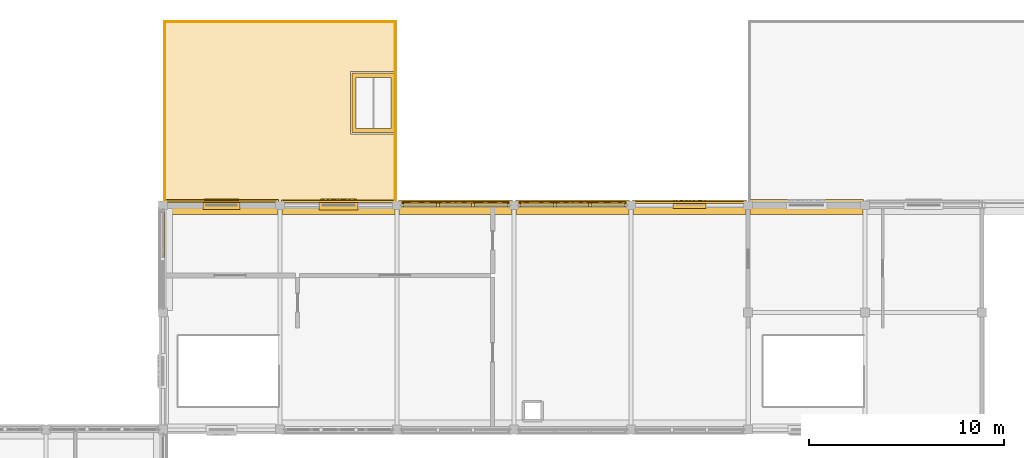
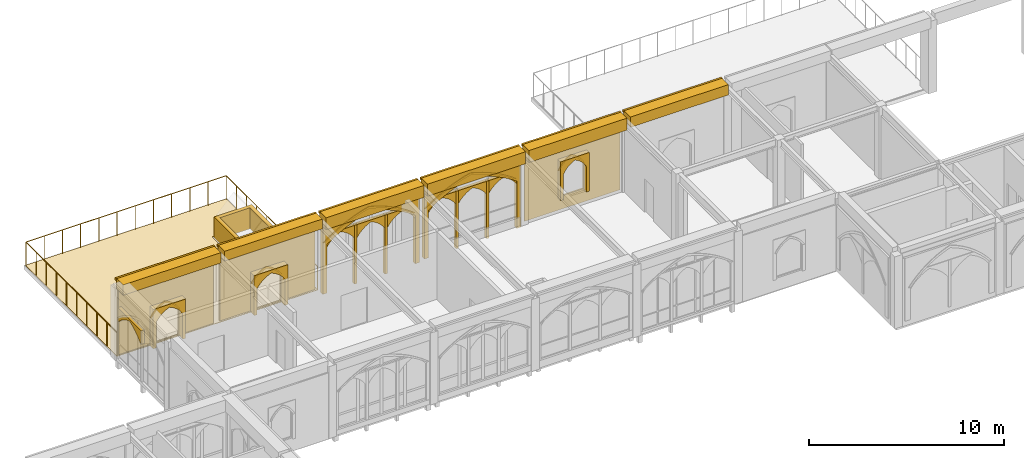
# One storey, part 52 of 59: 38 coverings, 3 railings.
"""IFC4 building model written with IfcOpenShell, lengths in metres."""

from ifc_helpers import new_model, si_unit, direction, frame, origin, origin_2d, place, context, subcontext, project, spatial, polyline, rectangle, circle, outline, extrude, material, type_object, element, save


model = new_model("IFC4")

# Units and contexts
model_context = context("Model", 3, precision=1e-05, world=origin(), true_north=direction((0.0, 1.0)))
body_context = subcontext(model_context, "Body", "Model", "MODEL_VIEW")
ifc_project = project(units=[si_unit("LENGTHUNIT", "METRE"), si_unit("AREAUNIT", "SQUARE_METRE"), si_unit("VOLUMEUNIT", "CUBIC_METRE"), si_unit("PLANEANGLEUNIT", "RADIAN"), si_unit("MASSUNIT", "GRAM", prefix="KILO")], contexts=[model_context])

# Site, building, storey
site_placement = place(None, origin())
site = spatial("IfcSite", under=ifc_project, at=site_placement, CompositionType="ELEMENT")
building_placement = place(site_placement, origin())
building = spatial("IfcBuilding", under=site, at=building_placement, Name="Cumevento Cable Car Station", CompositionType="ELEMENT")
storey_placement = place(building_placement, frame((0.0, 0.0, 18.0)))
storey = spatial("IfcBuildingStorey", under=building, at=storey_placement, Name="L05", CompositionType="ELEMENT", Elevation=18.0)

# Railings
ifc_material_1 = material(Name="Painted Galvanised Architectural Steel", Category="steel")
railing_type = type_object("IfcRailingType", Name="Terrace Guardrail GR-T150 1500", PredefinedType="GUARDRAIL", material=ifc_material_1)
railing_placement = place(storey_placement, frame((22.080078125, 65.919921875, 0.0)))
element("IfcRailing", 1, at=railing_placement, inside=storey, type_object=railing_type, Name="Panoramic Terrace Guardrail GR-T150 #1", PredefinedType="GUARDRAIL", context=body_context, shape_type="SweptSolid", body=[
    extrude(circle(Radius=0.02490234375, at=origin_2d()), frame((0.0, 0.0, 1.47509765625), z_axis=(1.0, 0.0, 0.0), x_axis=(0.0, 1.0, 0.0)), (0.0, 0.0, 1.0), 11.83984375),
    extrude(circle(Radius=0.02099609375, at=origin_2d()), origin(), (0.0, 0.0, 1.0), 1.449951171875),
    extrude(circle(Radius=0.02099609375, at=origin_2d()), frame((1.076416015625, 0.0, 0.0)), (0.0, 0.0, 1.0), 1.449951171875),
    extrude(circle(Radius=0.02099609375, at=origin_2d()), frame((2.152587890625, 0.0, 0.0)), (0.0, 0.0, 1.0), 1.449951171875),
    extrude(circle(Radius=0.02099609375, at=origin_2d()), frame((3.22900390625, 0.0, 0.0)), (0.0, 0.0, 1.0), 1.449951171875),
    extrude(circle(Radius=0.02099609375, at=origin_2d()), frame((4.305419921875, 0.0, 0.0)), (0.0, 0.0, 1.0), 1.449951171875),
    extrude(circle(Radius=0.02099609375, at=origin_2d()), frame((5.3818359375, 0.0, 0.0)), (0.0, 0.0, 1.0), 1.449951171875),
    extrude(circle(Radius=0.02099609375, at=origin_2d()), frame((6.4580078125, 0.0, 0.0)), (0.0, 0.0, 1.0), 1.449951171875),
    extrude(circle(Radius=0.02099609375, at=origin_2d()), frame((7.534423828125, 0.0, 0.0)), (0.0, 0.0, 1.0), 1.449951171875),
    extrude(circle(Radius=0.02099609375, at=origin_2d()), frame((8.61083984375, 0.0, 0.0)), (0.0, 0.0, 1.0), 1.449951171875),
    extrude(circle(Radius=0.02099609375, at=origin_2d()), frame((9.687255859375, 0.0, 0.0)), (0.0, 0.0, 1.0), 1.449951171875),
    extrude(circle(Radius=0.02099609375, at=origin_2d()), frame((10.763427734375, 0.0, 0.0)), (0.0, 0.0, 1.0), 1.449951171875),
    extrude(circle(Radius=0.02099609375, at=origin_2d()), frame((11.83984375, 0.0, 0.0)), (0.0, 0.0, 1.0), 1.449951171875),
])
for number, where, name in (
    (2, (33.919921875, 56.580078125, 0.0), "Panoramic Terrace Guardrail GR-T150 #2"),
    (3, (22.080078125, 56.580078125, 0.0), "Panoramic Terrace Guardrail GR-T150 #3"),
):
    element("IfcRailing", number, at=place(storey_placement, frame(where)), inside=storey, type_object=railing_type, Name=name, PredefinedType="GUARDRAIL", context=body_context, shape_type="SweptSolid", body=[
        extrude(circle(Radius=0.02490234375, at=origin_2d()), frame((0.0, 0.0, 1.47509765625), z_axis=(0.0, 1.0, 0.0), x_axis=(-1.0, 0.0, 0.0)), (0.0, 0.0, 1.0), 9.33984375),
        extrude(circle(Radius=0.02099609375, at=origin_2d()), origin(), (0.0, 0.0, 1.0), 1.449951171875),
        extrude(circle(Radius=0.02099609375, at=origin_2d()), frame((0.0, 1.037841796875, 0.0)), (0.0, 0.0, 1.0), 1.449951171875),
        extrude(circle(Radius=0.02099609375, at=origin_2d()), frame((0.0, 2.075439453125, 0.0)), (0.0, 0.0, 1.0), 1.449951171875),
        extrude(circle(Radius=0.02099609375, at=origin_2d()), frame((0.0, 3.11328125, 0.0)), (0.0, 0.0, 1.0), 1.449951171875),
        extrude(circle(Radius=0.02099609375, at=origin_2d()), frame((0.0, 4.151123046875, 0.0)), (0.0, 0.0, 1.0), 1.449951171875),
        extrude(circle(Radius=0.02099609375, at=origin_2d()), frame((0.0, 5.188720703125, 0.0)), (0.0, 0.0, 1.0), 1.449951171875),
        extrude(circle(Radius=0.02099609375, at=origin_2d()), frame((0.0, 6.2265625, 0.0)), (0.0, 0.0, 1.0), 1.449951171875),
        extrude(circle(Radius=0.02099609375, at=origin_2d()), frame((0.0, 7.264404296875, 0.0)), (0.0, 0.0, 1.0), 1.449951171875),
        extrude(circle(Radius=0.02099609375, at=origin_2d()), frame((0.0, 8.302001953125, 0.0)), (0.0, 0.0, 1.0), 1.449951171875),
        extrude(circle(Radius=0.02099609375, at=origin_2d()), frame((0.0, 9.33984375, 0.0)), (0.0, 0.0, 1.0), 1.449951171875),
    ])

# Coverings
ifc_material_2 = material(Name="Gnaisse Facoidal Stone Ashlar 85 MPa", Category="masonry")
covering_type = type_object("IfcCoveringType", Name="Gnaisse Ashlar Cladding CV-CL01", PredefinedType="CLADDING", material=ifc_material_2)
covering_1_placement = place(storey_placement, frame((25.0, 56.363525390625, 4.134033203125), z_axis=(0.0, 0.0, 1.0), x_axis=(1.0, 0.0, 0.0)))
element("IfcCovering", 4, at=covering_1_placement, inside=storey, type_object=covering_type, Name="Gothic Stone Spandrel Stringcourse sc:0801", PredefinedType="CLADDING", context=body_context, shape_type="SweptSolid", body=[
    extrude(rectangle(XDim=5.7900390625, YDim=0.68701171875, at=origin_2d()), origin(), (0.0, 0.0, 1.0), 0.64599609375),
])
covering_2_placement = place(storey_placement, frame((25.0, 56.734619140625, 4.650146484375), z_axis=(0.0, 0.0, 1.0), x_axis=(1.0, 0.0, 0.0)))
element("IfcCovering", 5, at=covering_2_placement, inside=storey, type_object=covering_type, Name="Gothic Cornice Dripstone Lip sc:0801", PredefinedType="CLADDING", context=body_context, shape_type="SweptSolid", body=[
    extrude(rectangle(XDim=5.830078125, YDim=0.114990234375, at=origin_2d()), origin(), (0.0, 0.0, 1.0), 0.1298828125),
])
covering_3_placement = place(storey_placement, frame((31.0, 56.35009765625, 4.174072265625), z_axis=(0.0, 0.0, 1.0), x_axis=(1.0, 0.0, 0.0)))
element("IfcCovering", 6, at=covering_3_placement, inside=storey, type_object=covering_type, Name="Gothic Stone Spandrel Stringcourse sc:0802", PredefinedType="CLADDING", context=body_context, shape_type="SweptSolid", body=[
    extrude(rectangle(XDim=5.7900390625, YDim=0.659912109375, at=origin_2d()), origin(), (0.0, 0.0, 1.0), 0.60595703125),
])
covering_4_placement = place(storey_placement, frame((31.0, 56.70751953125, 4.650146484375), z_axis=(0.0, 0.0, 1.0), x_axis=(1.0, 0.0, 0.0)))
element("IfcCovering", 7, at=covering_4_placement, inside=storey, type_object=covering_type, Name="Gothic Cornice Dripstone Lip sc:0802", PredefinedType="CLADDING", context=body_context, shape_type="SweptSolid", body=[
    extrude(rectangle(XDim=5.830078125, YDim=0.114990234375, at=origin_2d()), origin(), (0.0, 0.0, 1.0), 0.1298828125),
])
covering_5_placement = place(storey_placement, frame((37.0, 56.35009765625, 4.032958984375), z_axis=(0.0, 0.0, 1.0), x_axis=(1.0, 0.0, 0.0)))
element("IfcCovering", 8, at=covering_5_placement, inside=storey, type_object=covering_type, Name="Gothic Stone Spandrel Stringcourse sc:0803", PredefinedType="CLADDING", context=body_context, shape_type="SweptSolid", body=[
    extrude(rectangle(XDim=5.7900390625, YDim=0.659912109375, at=origin_2d()), origin(), (0.0, 0.0, 1.0), 0.7470703125),
])
covering_6_placement = place(storey_placement, frame((37.0, 56.70751953125, 4.650146484375), z_axis=(0.0, 0.0, 1.0), x_axis=(1.0, 0.0, 0.0)))
element("IfcCovering", 9, at=covering_6_placement, inside=storey, type_object=covering_type, Name="Gothic Cornice Dripstone Lip sc:0803", PredefinedType="CLADDING", context=body_context, shape_type="SweptSolid", body=[
    extrude(rectangle(XDim=5.830078125, YDim=0.114990234375, at=origin_2d()), origin(), (0.0, 0.0, 1.0), 0.1298828125),
])
covering_7_placement = place(storey_placement, frame((43.0, 56.35009765625, 4.032958984375), z_axis=(0.0, 0.0, 1.0), x_axis=(1.0, 0.0, 0.0)))
element("IfcCovering", 10, at=covering_7_placement, inside=storey, type_object=covering_type, Name="Gothic Stone Spandrel Stringcourse sc:0804", PredefinedType="CLADDING", context=body_context, shape_type="SweptSolid", body=[
    extrude(rectangle(XDim=5.7900390625, YDim=0.659912109375, at=origin_2d()), origin(), (0.0, 0.0, 1.0), 0.7470703125),
])
covering_8_placement = place(storey_placement, frame((43.0, 56.70751953125, 4.650146484375), z_axis=(0.0, 0.0, 1.0), x_axis=(1.0, 0.0, 0.0)))
element("IfcCovering", 11, at=covering_8_placement, inside=storey, type_object=covering_type, Name="Gothic Cornice Dripstone Lip sc:0804", PredefinedType="CLADDING", context=body_context, shape_type="SweptSolid", body=[
    extrude(rectangle(XDim=5.830078125, YDim=0.114990234375, at=origin_2d()), origin(), (0.0, 0.0, 1.0), 0.1298828125),
])
covering_9_placement = place(storey_placement, frame((49.0, 56.35009765625, 4.032958984375), z_axis=(0.0, 0.0, 1.0), x_axis=(1.0, 0.0, 0.0)))
element("IfcCovering", 12, at=covering_9_placement, inside=storey, type_object=covering_type, Name="Gothic Stone Spandrel Stringcourse sc:0805", PredefinedType="CLADDING", context=body_context, shape_type="SweptSolid", body=[
    extrude(rectangle(XDim=5.7900390625, YDim=0.659912109375, at=origin_2d()), origin(), (0.0, 0.0, 1.0), 0.7470703125),
])
covering_10_placement = place(storey_placement, frame((49.0, 56.70751953125, 4.650146484375), z_axis=(0.0, 0.0, 1.0), x_axis=(1.0, 0.0, 0.0)))
element("IfcCovering", 13, at=covering_10_placement, inside=storey, type_object=covering_type, Name="Gothic Cornice Dripstone Lip sc:0805", PredefinedType="CLADDING", context=body_context, shape_type="SweptSolid", body=[
    extrude(rectangle(XDim=5.830078125, YDim=0.114990234375, at=origin_2d()), origin(), (0.0, 0.0, 1.0), 0.1298828125),
])
covering_11_placement = place(storey_placement, frame((55.0, 56.363525390625, 4.134033203125), z_axis=(0.0, 0.0, 1.0), x_axis=(1.0, 0.0, 0.0)))
element("IfcCovering", 14, at=covering_11_placement, inside=storey, type_object=covering_type, Name="Gothic Stone Spandrel Stringcourse sc:0809", PredefinedType="CLADDING", context=body_context, shape_type="SweptSolid", body=[
    extrude(rectangle(XDim=5.7900390625, YDim=0.68701171875, at=origin_2d()), origin(), (0.0, 0.0, 1.0), 0.64599609375),
])
covering_12_placement = place(storey_placement, frame((55.0, 56.734619140625, 4.650146484375), z_axis=(0.0, 0.0, 1.0), x_axis=(1.0, 0.0, 0.0)))
element("IfcCovering", 15, at=covering_12_placement, inside=storey, type_object=covering_type, Name="Gothic Cornice Dripstone Lip sc:0809", PredefinedType="CLADDING", context=body_context, shape_type="SweptSolid", body=[
    extrude(rectangle(XDim=5.830078125, YDim=0.114990234375, at=origin_2d()), origin(), (0.0, 0.0, 1.0), 0.1298828125),
])
placement_1 = place(storey_placement, frame((34.22509765625, 56.5, -0.27001953125), z_axis=(0.0, 0.0, 1.0), x_axis=(1.0, 0.0, 0.0)))
element("IfcCovering", 16, at=placement_1, inside=storey, type_object=covering_type, Name="Gothic Ogival Pointed-Arch Stone Spandrel cw_ogival:0205", PredefinedType="CLADDING", context=body_context, shape_type="SweptSolid", body=[
    extrude(outline(polyline([(-0.080078125, 0.0), (-0.080078125, 4.443115234375), (5.6298828125, 4.443115234375), (5.6298828125, 0.0), (5.389892578125, 0.0), (5.389892578125, 3.037109375), (5.09228515625, 3.243408203125), (4.78466796875, 3.434814453125), (4.4677734375, 3.610595703125), (4.142578125, 3.7705078125), (3.81005859375, 3.913818359375), (3.470703125, 4.040771484375), (3.125244140625, 4.150390625), (2.77490234375, 4.242919921875), (2.4248046875, 4.150390625), (2.079345703125, 4.040771484375), (1.739990234375, 3.913818359375), (1.407470703125, 3.7705078125), (1.082275390625, 3.610595703125), (0.765380859375, 3.434814453125), (0.457763671875, 3.243408203125), (0.159912109375, 3.037109375), (0.159912109375, 0.0), (-0.080078125, 0.0)])), frame((0.0, 0.139892578125, 0.0), z_axis=(0.0, -1.0, 0.0), x_axis=(1.0, 0.0, 0.0)), (0.0, 0.0, 1.0), 0.219970703125),
])
covering_14_placement = place(storey_placement, frame((34.22509765625, 56.5, 2.76708984375), z_axis=(0.0, 0.0, 1.0), x_axis=(1.0, 0.0, 0.0)))
element("IfcCovering", 17, at=covering_14_placement, inside=storey, type_object=covering_type, Name="Gothic Pointed Archivolt Hood Moulding cw_ogival:0205", PredefinedType="CLADDING", context=body_context, shape_type="SweptSolid", body=[
    extrude(outline(polyline([(0.159912109375, 0.0), (0.457763671875, 0.206298828125), (0.765380859375, 0.397705078125), (1.082275390625, 0.573486328125), (1.407470703125, 0.7333984375), (1.739990234375, 0.876708984375), (2.079345703125, 1.003662109375), (2.4248046875, 1.11328125), (2.77490234375, 1.205810546875), (3.125244140625, 1.11328125), (3.470703125, 1.003662109375), (3.81005859375, 0.876708984375), (4.142578125, 0.7333984375), (4.4677734375, 0.573486328125), (4.78466796875, 0.397705078125), (5.09228515625, 0.206298828125), (5.389892578125, 0.0), (5.5, 0.0), (5.19384765625, 0.229248046875), (4.875732421875, 0.44189453125), (4.547119140625, 0.6376953125), (4.20849609375, 0.815673828125), (3.861083984375, 0.975830078125), (3.505615234375, 1.117431640625), (3.143310546875, 1.239990234375), (2.77490234375, 1.343505859375), (2.40673828125, 1.239990234375), (2.04443359375, 1.117431640625), (1.68896484375, 0.975830078125), (1.341552734375, 0.815673828125), (1.0029296875, 0.6376953125), (0.67431640625, 0.44189453125), (0.356201171875, 0.229248046875), (0.050048828125, 0.0), (0.159912109375, 0.0)])), frame((0.0, 0.181884765625, 0.0), z_axis=(0.0, -1.0, 0.0), x_axis=(1.0, 0.0, 0.0)), (0.0, 0.0, 1.0), 0.06689453125),
])
element("IfcCovering", 18, at=placement_1, inside=storey, type_object=covering_type, Name="Gothic Bifora Stone Colonnette cw_ogival:0205 #1", PredefinedType="CLADDING", context=body_context, shape_type="SweptSolid", body=[
    extrude(outline(polyline([(1.80322265625, -0.02001953125), (1.953369140625, -0.02001953125), (1.953369140625, 3.664306640625), (1.80322265625, 3.664306640625), (1.80322265625, -0.02001953125)])), frame((0.0, 0.1279296875, 0.0), z_axis=(0.0, -1.0, 0.0), x_axis=(1.0, 0.0, 0.0)), (0.0, 0.0, 1.0), 0.205078125),
])
element("IfcCovering", 19, at=placement_1, inside=storey, type_object=covering_type, Name="Gothic Bifora Stone Colonnette cw_ogival:0205 #2", PredefinedType="CLADDING", context=body_context, shape_type="SweptSolid", body=[
    extrude(outline(polyline([(3.5966796875, -0.02001953125), (3.74658203125, -0.02001953125), (3.74658203125, 3.664306640625), (3.5966796875, 3.664306640625), (3.5966796875, -0.02001953125)])), frame((0.0, 0.1279296875, 0.0), z_axis=(0.0, -1.0, 0.0), x_axis=(1.0, 0.0, 0.0)), (0.0, 0.0, 1.0), 0.205078125),
])
for number, where, z_axis, x_axis, name in (
    (20, (34.35498046875, 56.5, 2.587158203125), (0.0, 0.0, 1.0), (1.0, 0.0, 0.0), "Gothic Ogival Pointed-Arch Stone Spandrel cw_ogival:0205:sub:0"),
    (21, (36.1484375, 56.5, 2.587158203125), (0.0, 0.0, 1.0), (1.0, 0.0, 0.0), "Gothic Ogival Pointed-Arch Stone Spandrel cw_ogival:0205:sub:1"),
    (22, (37.941650390625, 56.5, 2.587158203125), (0.0, 0.0, 1.0), (1.0, 0.0, 0.0), "Gothic Ogival Pointed-Arch Stone Spandrel cw_ogival:0205:sub:2"),
):
    element("IfcCovering", number, at=place(storey_placement, frame(where, z_axis=z_axis, x_axis=x_axis)), inside=storey, type_object=covering_type, Name=name, PredefinedType="CLADDING", context=body_context, shape_type="SweptSolid", body=[
        extrude(outline(polyline([(-0.02001953125, 0.0), (-0.02001953125, 0.80712890625), (1.723388671875, 0.80712890625), (1.723388671875, 0.0), (1.663330078125, 0.0), (1.561767578125, 0.14892578125), (1.444580078125, 0.285888671875), (1.3134765625, 0.40966796875), (1.169921875, 0.5185546875), (1.015380859375, 0.611328125), (0.8515625, 0.68701171875), (0.68798828125, 0.611328125), (0.533447265625, 0.5185546875), (0.389892578125, 0.40966796875), (0.2587890625, 0.285888671875), (0.1416015625, 0.14892578125), (0.0400390625, 0.0), (-0.02001953125, 0.0)])), frame((0.0, 0.1240234375, 0.0), z_axis=(0.0, -1.0, 0.0), x_axis=(1.0, 0.0, 0.0)), (0.0, 0.0, 1.0), 0.199951171875),
    ])
placement_2 = place(storey_placement, frame((40.22509765625, 56.5, -0.159912109375), z_axis=(0.0, 0.0, 1.0), x_axis=(1.0, 0.0, 0.0)))
element("IfcCovering", 23, at=placement_2, inside=storey, type_object=covering_type, Name="Gothic Ogival Pointed-Arch Stone Spandrel cw_ogival:0207", PredefinedType="CLADDING", context=body_context, shape_type="SweptSolid", body=[
    extrude(outline(polyline([(-0.080078125, 0.0), (-0.080078125, 4.3330078125), (5.6298828125, 4.3330078125), (5.6298828125, 0.0), (5.389892578125, 0.0), (5.389892578125, 2.966796875), (5.090576171875, 3.166748046875), (4.78173828125, 3.351806640625), (4.46435546875, 3.52197265625), (4.138916015625, 3.676513671875), (3.806640625, 3.815185546875), (3.468017578125, 3.9375), (3.1240234375, 4.043701171875), (2.77490234375, 4.133056640625), (2.426025390625, 4.043701171875), (2.08203125, 3.9375), (1.743408203125, 3.815185546875), (1.4111328125, 3.676513671875), (1.085693359375, 3.52197265625), (0.768310546875, 3.351806640625), (0.45947265625, 3.166748046875), (0.159912109375, 2.966796875), (0.159912109375, 0.0), (-0.080078125, 0.0)])), frame((0.0, 0.139892578125, 0.0), z_axis=(0.0, -1.0, 0.0), x_axis=(1.0, 0.0, 0.0)), (0.0, 0.0, 1.0), 0.219970703125),
])
covering_18_placement = place(storey_placement, frame((40.22509765625, 56.5, 2.806640625), z_axis=(0.0, 0.0, 1.0), x_axis=(1.0, 0.0, 0.0)))
element("IfcCovering", 24, at=covering_18_placement, inside=storey, type_object=covering_type, Name="Gothic Pointed Archivolt Hood Moulding cw_ogival:0207", PredefinedType="CLADDING", context=body_context, shape_type="SweptSolid", body=[
    extrude(outline(polyline([(0.159912109375, 0.0), (0.45947265625, 0.199951171875), (0.768310546875, 0.385009765625), (1.085693359375, 0.55517578125), (1.4111328125, 0.709716796875), (1.743408203125, 0.848388671875), (2.08203125, 0.970947265625), (2.426025390625, 1.076904296875), (2.77490234375, 1.166259765625), (3.1240234375, 1.076904296875), (3.468017578125, 0.970947265625), (3.806640625, 0.848388671875), (4.138916015625, 0.709716796875), (4.46435546875, 0.55517578125), (4.78173828125, 0.385009765625), (5.090576171875, 0.199951171875), (5.389892578125, 0.0), (5.5, 0.0), (5.19189453125, 0.22265625), (4.872802734375, 0.429443359375), (4.54345703125, 0.619384765625), (4.20458984375, 0.792236328125), (3.857666015625, 0.947509765625), (3.5029296875, 1.084716796875), (3.141845703125, 1.20361328125), (2.77490234375, 1.3037109375), (2.408203125, 1.20361328125), (2.047119140625, 1.084716796875), (1.6923828125, 0.947509765625), (1.345458984375, 0.792236328125), (1.006591796875, 0.619384765625), (0.67724609375, 0.429443359375), (0.358154296875, 0.22265625), (0.050048828125, 0.0), (0.159912109375, 0.0)])), frame((0.0, 0.181884765625, 0.0), z_axis=(0.0, -1.0, 0.0), x_axis=(1.0, 0.0, 0.0)), (0.0, 0.0, 1.0), 0.06689453125),
])
element("IfcCovering", 25, at=placement_2, inside=storey, type_object=covering_type, Name="Gothic Bifora Stone Colonnette cw_ogival:0207 #1", PredefinedType="CLADDING", context=body_context, shape_type="SweptSolid", body=[
    extrude(outline(polyline([(1.80322265625, -0.02001953125), (1.953369140625, -0.02001953125), (1.953369140625, 3.5732421875), (1.80322265625, 3.5732421875), (1.80322265625, -0.02001953125)])), frame((0.0, 0.1279296875, 0.0), z_axis=(0.0, -1.0, 0.0), x_axis=(1.0, 0.0, 0.0)), (0.0, 0.0, 1.0), 0.205078125),
])
element("IfcCovering", 26, at=placement_2, inside=storey, type_object=covering_type, Name="Gothic Bifora Stone Colonnette cw_ogival:0207 #2", PredefinedType="CLADDING", context=body_context, shape_type="SweptSolid", body=[
    extrude(outline(polyline([(3.5966796875, -0.02001953125), (3.74658203125, -0.02001953125), (3.74658203125, 3.5732421875), (3.5966796875, 3.5732421875), (3.5966796875, -0.02001953125)])), frame((0.0, 0.1279296875, 0.0), z_axis=(0.0, -1.0, 0.0), x_axis=(1.0, 0.0, 0.0)), (0.0, 0.0, 1.0), 0.205078125),
])
for number, where, z_axis, x_axis, name in (
    (27, (40.35498046875, 56.5, 2.626708984375), (0.0, 0.0, 1.0), (1.0, 0.0, 0.0), "Gothic Ogival Pointed-Arch Stone Spandrel cw_ogival:0207:sub:0"),
    (28, (42.1484375, 56.5, 2.626708984375), (0.0, 0.0, 1.0), (1.0, 0.0, 0.0), "Gothic Ogival Pointed-Arch Stone Spandrel cw_ogival:0207:sub:1"),
    (29, (43.941650390625, 56.5, 2.626708984375), (0.0, 0.0, 1.0), (1.0, 0.0, 0.0), "Gothic Ogival Pointed-Arch Stone Spandrel cw_ogival:0207:sub:2"),
):
    element("IfcCovering", number, at=place(storey_placement, frame(where, z_axis=z_axis, x_axis=x_axis)), inside=storey, type_object=covering_type, Name=name, PredefinedType="CLADDING", context=body_context, shape_type="SweptSolid", body=[
        extrude(outline(polyline([(-0.02001953125, 0.0), (-0.02001953125, 0.78662109375), (1.723388671875, 0.78662109375), (1.723388671875, 0.0), (1.663330078125, 0.0), (1.56005859375, 0.144775390625), (1.442138671875, 0.278076171875), (1.310791015625, 0.39794921875), (1.16748046875, 0.50341796875), (1.013916015625, 0.59326171875), (0.8515625, 0.66650390625), (0.689453125, 0.59326171875), (0.535888671875, 0.50341796875), (0.392578125, 0.39794921875), (0.26123046875, 0.278076171875), (0.143310546875, 0.144775390625), (0.0400390625, 0.0), (-0.02001953125, 0.0)])), frame((0.0, 0.1240234375, 0.0), z_axis=(0.0, -1.0, 0.0), x_axis=(1.0, 0.0, 0.0)), (0.0, 0.0, 1.0), 0.199951171875),
    ])
covering_21_placement = place(storey_placement, frame((22.0, 53.794921875, 2.51513671875), z_axis=(0.0, 0.0, 1.0), x_axis=(0.0, 1.0, 0.0)))
element("IfcCovering", 30, at=covering_21_placement, inside=storey, type_object=covering_type, Name="Gothic Ogival Pointed-Arch Stone Spandrel cw_ogival:0209:sub:1", PredefinedType="CLADDING", context=body_context, shape_type="SweptSolid", body=[
    extrude(outline(polyline([(-0.02001953125, 0.0), (-0.02001953125, 0.844482421875), (2.3701171875, 0.844482421875), (2.3701171875, 0.0), (2.31005859375, 0.0), (2.149658203125, 0.16064453125), (1.97607421875, 0.306640625), (1.790283203125, 0.436767578125), (1.59375, 0.550537109375), (1.38818359375, 0.646728515625), (1.175048828125, 0.724609375), (0.9619140625, 0.646728515625), (0.75634765625, 0.550537109375), (0.559814453125, 0.436767578125), (0.3740234375, 0.306640625), (0.200439453125, 0.16064453125), (0.0400390625, 0.0), (-0.02001953125, 0.0)])), frame((0.0, 0.1240234375, 0.0), z_axis=(0.0, -1.0, 0.0), x_axis=(1.0, 0.0, 0.0)), (0.0, 0.0, 1.0), 0.199951171875),
])
covering_22_placement = place(storey_placement, frame((22.22509765625, 56.5, 0.0), z_axis=(0.0, 0.0, 1.0), x_axis=(1.0, 0.0, 0.0)))
element("IfcCovering", 31, at=covering_22_placement, inside=storey, type_object=covering_type, Name="Exterior Gnaisse Stone Wall Ashlar #303", PredefinedType="CLADDING", context=body_context, shape_type="SweptSolid", body=[
    extrude(outline(polyline([(-0.0400390625, -0.02001953125), (5.590087890625, -0.02001953125), (5.590087890625, 4.214111328125), (-0.0400390625, 4.214111328125), (-0.0400390625, -0.02001953125)]), holes=[polyline([(2.0048828125, 0.02001953125), (3.544921875, 0.02001953125), (3.544921875, 2.169921875), (2.0048828125, 2.169921875), (2.0048828125, 0.02001953125)])]), frame((0.0, 0.222412109375, 0.0), z_axis=(0.0, -1.0, 0.0), x_axis=(1.0, 0.0, 0.0)), (0.0, 0.0, 1.0), 0.0849609375),
])
covering_23_placement = place(storey_placement, frame((24.080078125, 56.5, -0.050048828125), z_axis=(0.0, 0.0, 1.0), x_axis=(1.0, 0.0, 0.0)))
element("IfcCovering", 32, at=covering_23_placement, inside=storey, type_object=covering_type, Name="Gothic Ogival Pointed-Arch Stone Spandrel op_ogival:0303:1", PredefinedType="CLADDING", context=body_context, shape_type="SweptSolid", body=[
    extrude(outline(polyline([(-0.0400390625, 0.0), (-0.0400390625, 2.449951171875), (1.8798828125, 2.449951171875), (1.8798828125, 0.0), (1.699951171875, 0.0), (1.699951171875, 1.61962890625), (1.616455078125, 1.7412109375), (1.522216796875, 1.854736328125), (1.418212890625, 1.959228515625), (1.3046875, 2.0537109375), (1.183349609375, 2.137451171875), (1.0546875, 2.209716796875), (0.919921875, 2.27001953125), (0.785400390625, 2.209716796875), (0.65673828125, 2.137451171875), (0.535400390625, 2.0537109375), (0.421875, 1.959228515625), (0.31787109375, 1.854736328125), (0.2236328125, 1.7412109375), (0.139892578125, 1.61962890625), (0.139892578125, 0.0), (-0.0400390625, 0.0)])), frame((0.0, 0.260498046875, 0.0), z_axis=(0.0, -1.0, 0.0), x_axis=(1.0, 0.0, 0.0)), (0.0, 0.0, 1.0), 0.47509765625),
])
covering_24_placement = place(storey_placement, frame((24.080078125, 56.5, 1.569580078125), z_axis=(0.0, 0.0, 1.0), x_axis=(1.0, 0.0, 0.0)))
element("IfcCovering", 33, at=covering_24_placement, inside=storey, type_object=covering_type, Name="Gothic Pointed Archivolt Hood Moulding op_ogival:0303:1", PredefinedType="CLADDING", context=body_context, shape_type="SweptSolid", body=[
    extrude(outline(polyline([(0.139892578125, 0.0), (0.2236328125, 0.12158203125), (0.31787109375, 0.235107421875), (0.421875, 0.339599609375), (0.535400390625, 0.43408203125), (0.65673828125, 0.517822265625), (0.785400390625, 0.590087890625), (0.919921875, 0.650390625), (1.0546875, 0.590087890625), (1.183349609375, 0.517822265625), (1.3046875, 0.43408203125), (1.418212890625, 0.339599609375), (1.522216796875, 0.235107421875), (1.616455078125, 0.12158203125), (1.699951171875, 0.0), (1.799072265625, 0.0), (1.7080078125, 0.14404296875), (1.603759765625, 0.27880859375), (1.487060546875, 0.40283203125), (1.359130859375, 0.515625), (1.22119140625, 0.615478515625), (1.074462890625, 0.701904296875), (0.919921875, 0.774169921875), (0.765625, 0.701904296875), (0.618896484375, 0.615478515625), (0.48095703125, 0.515625), (0.35302734375, 0.40283203125), (0.236328125, 0.27880859375), (0.132080078125, 0.14404296875), (0.041015625, 0.0), (0.139892578125, 0.0)])), frame((0.0, 0.302490234375, 0.0), z_axis=(0.0, -1.0, 0.0), x_axis=(1.0, 0.0, 0.0)), (0.0, 0.0, 1.0), 0.06689453125),
])
covering_25_placement = place(storey_placement, frame((28.22509765625, 56.5, 0.0), z_axis=(0.0, 0.0, 1.0), x_axis=(1.0, 0.0, 0.0)))
element("IfcCovering", 34, at=covering_25_placement, inside=storey, type_object=covering_type, Name="Exterior Gnaisse Stone Wall Ashlar #304", PredefinedType="CLADDING", context=body_context, shape_type="SweptSolid", body=[
    extrude(outline(polyline([(-0.0400390625, -0.02001953125), (5.590087890625, -0.02001953125), (5.590087890625, 4.25390625), (-0.0400390625, 4.25390625), (-0.0400390625, -0.02001953125)]), holes=[polyline([(1.965087890625, 0.02001953125), (3.5849609375, 0.02001953125), (3.5849609375, 2.2099609375), (1.965087890625, 2.2099609375), (1.965087890625, 0.02001953125)])]), frame((0.0, 0.237548828125, 0.0), z_axis=(0.0, -1.0, 0.0), x_axis=(1.0, 0.0, 0.0)), (0.0, 0.0, 1.0), 0.0849609375),
])
covering_26_placement = place(storey_placement, frame((30.0400390625, 56.5, -0.050048828125), z_axis=(0.0, 0.0, 1.0), x_axis=(1.0, 0.0, 0.0)))
element("IfcCovering", 35, at=covering_26_placement, inside=storey, type_object=covering_type, Name="Gothic Ogival Pointed-Arch Stone Spandrel op_ogival:0304:1", PredefinedType="CLADDING", context=body_context, shape_type="SweptSolid", body=[
    extrude(outline(polyline([(-0.0400390625, 0.0), (-0.0400390625, 2.489990234375), (1.9599609375, 2.489990234375), (1.9599609375, 0.0), (1.780029296875, 0.0), (1.780029296875, 1.6484375), (1.6904296875, 1.7724609375), (1.59033203125, 1.88818359375), (1.48046875, 1.994384765625), (1.361328125, 2.090576171875), (1.234375, 2.175537109375), (1.10009765625, 2.2490234375), (0.9599609375, 2.31005859375), (0.81982421875, 2.2490234375), (0.685546875, 2.175537109375), (0.55859375, 2.090576171875), (0.439453125, 1.994384765625), (0.32958984375, 1.88818359375), (0.2294921875, 1.7724609375), (0.139892578125, 1.6484375), (0.139892578125, 0.0), (-0.0400390625, 0.0)])), frame((0.0, 0.275390625, 0.0), z_axis=(0.0, -1.0, 0.0), x_axis=(1.0, 0.0, 0.0)), (0.0, 0.0, 1.0), 0.5048828125),
])
covering_27_placement = place(storey_placement, frame((30.0400390625, 56.5, 1.598388671875), z_axis=(0.0, 0.0, 1.0), x_axis=(1.0, 0.0, 0.0)))
element("IfcCovering", 36, at=covering_27_placement, inside=storey, type_object=covering_type, Name="Gothic Pointed Archivolt Hood Moulding op_ogival:0304:1", PredefinedType="CLADDING", context=body_context, shape_type="SweptSolid", body=[
    extrude(outline(polyline([(0.139892578125, 0.0), (0.2294921875, 0.1240234375), (0.32958984375, 0.23974609375), (0.439453125, 0.345947265625), (0.55859375, 0.442138671875), (0.685546875, 0.527099609375), (0.81982421875, 0.6005859375), (0.9599609375, 0.66162109375), (1.10009765625, 0.6005859375), (1.234375, 0.527099609375), (1.361328125, 0.442138671875), (1.48046875, 0.345947265625), (1.59033203125, 0.23974609375), (1.6904296875, 0.1240234375), (1.780029296875, 0.0), (1.87890625, 0.0), (1.781982421875, 0.146484375), (1.671630859375, 0.283447265625), (1.54931640625, 0.409423828125), (1.415771484375, 0.523681640625), (1.272216796875, 0.624755859375), (1.119873046875, 0.71240234375), (0.9599609375, 0.785400390625), (0.800048828125, 0.71240234375), (0.647705078125, 0.624755859375), (0.504150390625, 0.523681640625), (0.37060546875, 0.409423828125), (0.248291015625, 0.283447265625), (0.137939453125, 0.146484375), (0.041015625, 0.0), (0.139892578125, 0.0)])), frame((0.0, 0.3173828125, 0.0), z_axis=(0.0, -1.0, 0.0), x_axis=(1.0, 0.0, 0.0)), (0.0, 0.0, 1.0), 0.06689453125),
])
covering_28_placement = place(storey_placement, frame((46.22509765625, 56.5, 0.0), z_axis=(0.0, 0.0, 1.0), x_axis=(1.0, 0.0, 0.0)))
element("IfcCovering", 37, at=covering_28_placement, inside=storey, type_object=covering_type, Name="Exterior Gnaisse Stone Wall Ashlar #305", PredefinedType="CLADDING", context=body_context, shape_type="SweptSolid", body=[
    extrude(outline(polyline([(-0.0400390625, -0.02001953125), (5.590087890625, -0.02001953125), (5.590087890625, 4.113037109375), (-0.0400390625, 4.113037109375), (-0.0400390625, -0.02001953125)]), holes=[polyline([(2.110107421875, 0.81005859375), (3.43994140625, 0.81005859375), (3.43994140625, 2.93994140625), (2.110107421875, 2.93994140625), (2.110107421875, 0.81005859375)])]), frame((0.0, 0.18505859375, 0.0), z_axis=(0.0, -1.0, 0.0), x_axis=(1.0, 0.0, 0.0)), (0.0, 0.0, 1.0), 0.0849609375),
])
covering_29_placement = place(storey_placement, frame((48.18505859375, 56.5, 0.75), z_axis=(0.0, 0.0, 1.0), x_axis=(1.0, 0.0, 0.0)))
element("IfcCovering", 38, at=covering_29_placement, inside=storey, type_object=covering_type, Name="Gothic Ogival Pointed-Arch Stone Spandrel op_ogival:0305:1", PredefinedType="CLADDING", context=body_context, shape_type="SweptSolid", body=[
    extrude(outline(polyline([(-0.0400390625, 0.0), (-0.0400390625, 2.419921875), (1.669921875, 2.419921875), (1.669921875, 0.0), (1.489990234375, 0.0), (1.489990234375, 1.597900390625), (1.423583984375, 1.71630859375), (1.345703125, 1.82763671875), (1.257080078125, 1.930419921875), (1.15869140625, 2.0244140625), (1.051513671875, 2.107421875), (0.9365234375, 2.179443359375), (0.81494140625, 2.239990234375), (0.693359375, 2.179443359375), (0.578369140625, 2.107421875), (0.47119140625, 2.0244140625), (0.372802734375, 1.930419921875), (0.2841796875, 1.82763671875), (0.206298828125, 1.71630859375), (0.139892578125, 1.597900390625), (0.139892578125, 0.0), (-0.0400390625, 0.0)])), frame((0.0, 0.222900390625, 0.0), z_axis=(0.0, -1.0, 0.0), x_axis=(1.0, 0.0, 0.0)), (0.0, 0.0, 1.0), 0.39990234375),
])
covering_30_placement = place(storey_placement, frame((48.18505859375, 56.5, 2.347900390625), z_axis=(0.0, 0.0, 1.0), x_axis=(1.0, 0.0, 0.0)))
element("IfcCovering", 39, at=covering_30_placement, inside=storey, type_object=covering_type, Name="Gothic Pointed Archivolt Hood Moulding op_ogival:0305:1", PredefinedType="CLADDING", context=body_context, shape_type="SweptSolid", body=[
    extrude(outline(polyline([(0.139892578125, 0.0), (0.206298828125, 0.118408203125), (0.2841796875, 0.229736328125), (0.372802734375, 0.33251953125), (0.47119140625, 0.42626953125), (0.578369140625, 0.509521484375), (0.693359375, 0.58154296875), (0.81494140625, 0.64208984375), (0.9365234375, 0.58154296875), (1.051513671875, 0.509521484375), (1.15869140625, 0.42626953125), (1.257080078125, 0.33251953125), (1.345703125, 0.229736328125), (1.423583984375, 0.118408203125), (1.489990234375, 0.0), (1.589111328125, 0.0), (1.51513671875, 0.140625), (1.42724609375, 0.27294921875), (1.326416015625, 0.395751953125), (1.21337890625, 0.507568359375), (1.089599609375, 0.607177734375), (0.956298828125, 0.693359375), (0.81494140625, 0.765869140625), (0.673583984375, 0.693359375), (0.540283203125, 0.607177734375), (0.41650390625, 0.507568359375), (0.303466796875, 0.395751953125), (0.20263671875, 0.27294921875), (0.11474609375, 0.140625), (0.041015625, 0.0), (0.139892578125, 0.0)])), frame((0.0, 0.264892578125, 0.0), z_axis=(0.0, -1.0, 0.0), x_axis=(1.0, 0.0, 0.0)), (0.0, 0.0, 1.0), 0.06689453125),
])
covering_31_placement = place(storey_placement, frame((0.0, 0.0, -0.030029296875)))
element("IfcCovering", 40, at=covering_31_placement, inside=storey, type_object=covering_type, Name="Gothic Stone Lift Overrun Turret #4", PredefinedType="CLADDING", context=body_context, shape_type="SweptSolid", body=[
    extrude(outline(polyline([(31.679931640625, 60.219970703125), (31.679931640625, 63.280029296875), (33.89990234375, 63.280029296875), (33.89990234375, 60.219970703125), (31.679931640625, 60.219970703125)]), holes=[polyline([(33.679931640625, 63.06005859375), (31.89990234375, 63.06005859375), (31.89990234375, 60.43994140625), (33.679931640625, 60.43994140625), (33.679931640625, 63.06005859375)])]), origin(), (0.0, 0.0, 1.0), 1.320068359375),
])
covering_32_placement = place(storey_placement, frame((0.0, 0.0, -0.0048828125)))
element("IfcCovering", 41, at=covering_32_placement, inside=storey, type_object=covering_type, Name="Gnaisse Stone Terrace Parterre Paving #1.1", PredefinedType="CLADDING", context=body_context, shape_type="SweptSolid", body=[
    extrude(outline(polyline([(31.610107421875, 60.14990234375), (33.93994140625, 60.14990234375), (33.93994140625, 56.56005859375), (22.06005859375, 56.56005859375), (22.06005859375, 65.93994140625), (33.93994140625, 65.93994140625), (33.93994140625, 63.35009765625), (31.610107421875, 63.35009765625), (31.610107421875, 60.14990234375)])), origin(), (0.0, 0.0, 1.0), 0.02294921875),
])

save(model, "model.ifc")
